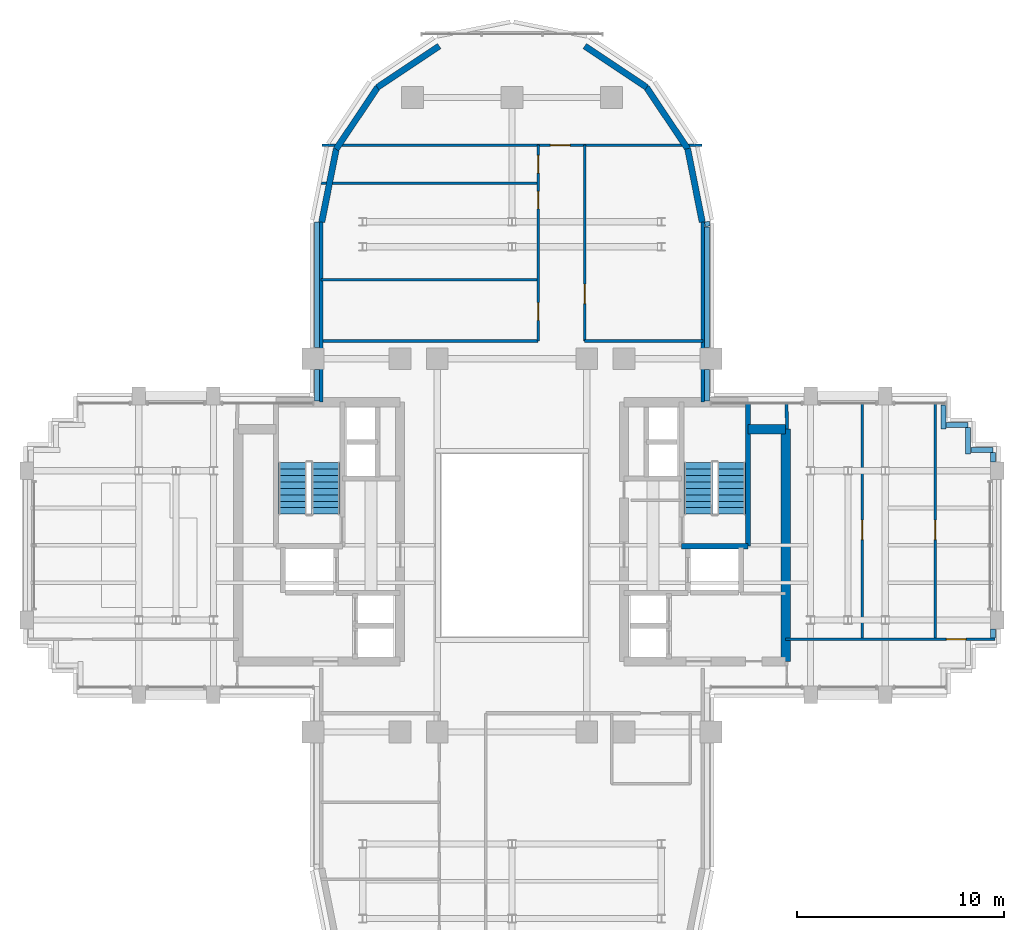
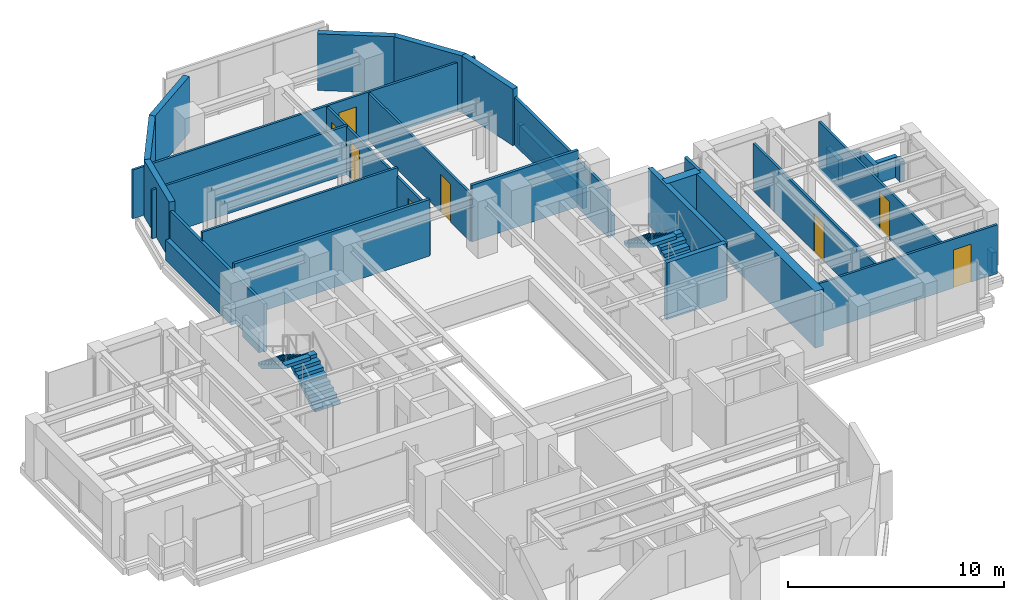
# One storey, part 10 of 13: 34 walls, 8 doors, 4 stair flights, 8 openings, 2 elements without a shape of their own.
"""IFC4 building model written with IfcOpenShell, lengths in metres."""

from ifc_helpers import new_model, si_unit, direction, frame, frame_2d, origin, place, context, subcontext, project, spatial, polyline, rectangle, outline, extrude, source, transform, mapped, material, layer, layer_set, type_object, element, fill, aggregate, save


model = new_model("IFC4")

# Units and contexts
model_context = context("Model", 3, precision=1e-05, world=origin(), true_north=direction((0.0, 1.0)))
body_context = subcontext(model_context, "Body", "Model", "MODEL_VIEW")
ifc_project = project(units=[si_unit("LENGTHUNIT", "METRE"), si_unit("AREAUNIT", "SQUARE_METRE"), si_unit("VOLUMEUNIT", "CUBIC_METRE"), si_unit("PLANEANGLEUNIT", "RADIAN"), si_unit("MASSUNIT", "GRAM", prefix="KILO")], contexts=[model_context])

# Site, building, storey
site_placement = place(None, origin())
site = spatial("IfcSite", under=ifc_project, at=site_placement, CompositionType="ELEMENT")
building_placement = place(site_placement, origin())
building = spatial("IfcBuilding", under=site, at=building_placement, Name="Keilestroom Media Tower", CompositionType="ELEMENT")
storey_placement = place(building_placement, frame((0.0, 0.0, 131.199951171875)))
storey = spatial("IfcBuildingStorey", under=building, at=storey_placement, Name="L35", CompositionType="ELEMENT", Elevation=131.199951171875)

# Walls
ifc_material_1 = material(Name="Precast concrete C40/50", Category="concrete")
ifc_layer_1 = layer(ifc_material_1, 0.300048828125)
ifc_layer_set_1 = layer_set([ifc_layer_1], Name="Precast concrete C40/50")
wall_type_1 = type_object("IfcWallType", Name="Exterior-Masonry-Spandrel-Wall-300", PredefinedType="SOLIDWALL", material=ifc_layer_set_1)
for number, where, z_axis, x_axis, name in (
    (1, (9.1748046875, 15.585205078125, 0.0), (0.0, 0.0, 1.0), (-0.195114232679, 0.980780523974, 0.0), "L35 Lobe Facet Precast Frame Wall 01"),
    (2, (8.48193359375, 19.097412109375, 0.0), (0.0, 0.0, 1.0), (-0.555574187116, 0.831466970246, 0.0), "L35 Lobe Facet Precast Frame Wall 02"),
):
    element("IfcWall", number, at=place(storey_placement, frame(where, z_axis=z_axis, x_axis=x_axis)), inside=storey, type_object=wall_type_1, Name=name, PredefinedType="SOLIDWALL", context=body_context, shape_type="SweptSolid", body=[
        extrude(rectangle(XDim=3.608642578125, YDim=0.300048828125, at=frame_2d((1.80419921875, 0.0))), origin(), (0.0, 0.0, 1.0), 3.199951171875),
    ])
for number, where, z_axis, x_axis, name in (
    (3, (6.497802734375, 22.0771484375, 0.0), (0.0, 0.0, 1.0), (-0.8314749531, 0.555562239868, 0.0), "L35 Lobe Facet Precast Frame Wall 03"),
    (4, (-3.510009765625, 24.073486328125, 0.0), (0.0, 0.0, 1.0), (-0.8314749531, -0.555562239868, 0.0), "L35 Lobe Facet Precast Frame Wall 04"),
):
    element("IfcWall", number, at=place(storey_placement, frame(where, z_axis=z_axis, x_axis=x_axis)), inside=storey, type_object=wall_type_1, Name=name, PredefinedType="SOLIDWALL", context=body_context, shape_type="SweptSolid", body=[
        extrude(rectangle(XDim=3.59326171875, YDim=0.300048828125, at=frame_2d((1.796630859375, 0.0))), origin(), (0.0, 0.0, 1.0), 3.199951171875),
    ])
for number, where, z_axis, x_axis, name in (
    (5, (-6.47705078125, 22.097900390625, 0.0), (0.0, 0.0, 1.0), (-0.555574187116, -0.831466970246, 0.0), "L35 Lobe Facet Precast Frame Wall 05"),
    (6, (-8.470703125, 19.12451171875, 0.0), (0.0, 0.0, 1.0), (-0.195114232679, -0.980780523974, 0.0), "L35 Lobe Facet Precast Frame Wall 06"),
):
    element("IfcWall", number, at=place(storey_placement, frame(where, z_axis=z_axis, x_axis=x_axis)), inside=storey, type_object=wall_type_1, Name=name, PredefinedType="SOLIDWALL", context=body_context, shape_type="SweptSolid", body=[
        extrude(rectangle(XDim=3.608642578125, YDim=0.300048828125, at=frame_2d((1.80419921875, 0.0))), origin(), (0.0, 0.0, 1.0), 3.199951171875),
    ])

# Wall, openings, doors
ifc_material_2 = material(Name="Gypsum Plasterboard & Steel Stud", Category="steel")
ifc_layer_2 = layer(ifc_material_2, 0.1201171875)
ifc_layer_set_2 = layer_set([ifc_layer_2], Name="Gypsum Plasterboard & Steel Stud")
wall_type_2 = type_object("IfcWallType", Name="Interior-Partition-Wall-120", PredefinedType="PARTITIONING", material=ifc_layer_set_2)
wall_1_placement = place(storey_placement, frame((1.260009765625, 9.85009765625, 0.0), z_axis=(0.0, 0.0, 1.0), x_axis=(0.0, 1.0, 0.0)))
wall_1 = element("IfcWall", 7, at=wall_1_placement, inside=storey, type_object=wall_type_2, Name="L35 Interior Wall WP-L35-NL-SPW", PredefinedType="PARTITIONING", context=body_context, shape_type="SweptSolid", body=[
    extrude(rectangle(XDim=9.449951171875, YDim=0.1201171875, at=frame_2d((4.72509765625, 0.0))), origin(), (0.0, 0.0, 1.0), 2.699951171875),
])
opening_1_placement = place(wall_1_placement, frame((1.0, 0.0, 0.0)))
opening_1 = element("IfcOpeningElement", 8, at=opening_1_placement, cuts=wall_1, Name="Opening DI-05", PredefinedType="OPENING", context=body_context, shape_type="SweptSolid", body=[
    extrude(rectangle(XDim=0.85009765625, YDim=2.10009765625, at=frame_2d((0.425048828125, 1.050048828125))), frame((0.0, 0.070068359375, 0.0), z_axis=(0.0, -1.0, 0.0), x_axis=(1.0, 0.0, 0.0)), (0.0, 0.0, 1.0), 0.14013671875),
])
opening_2_placement = place(wall_1_placement, frame((6.3701171875, 0.0, 0.0)))
opening_2 = element("IfcOpeningElement", 9, at=opening_2_placement, cuts=wall_1, Name="Opening DI-05", PredefinedType="OPENING", context=body_context, shape_type="SweptSolid", body=[
    extrude(rectangle(XDim=0.85009765625, YDim=2.10009765625, at=frame_2d((0.425048828125, 1.050048828125))), frame((0.0, 0.070068359375, 0.0), z_axis=(0.0, -1.0, 0.0), x_axis=(1.0, 0.0, 0.0)), (0.0, 0.0, 1.0), 0.14013671875),
])
opening_3_placement = place(wall_1_placement, frame((8.10009765625, 0.0, 0.0)))
opening_3 = element("IfcOpeningElement", 10, at=opening_3_placement, cuts=wall_1, Name="Opening DI-05", PredefinedType="OPENING", context=body_context, shape_type="SweptSolid", body=[
    extrude(rectangle(XDim=0.85009765625, YDim=2.10009765625, at=frame_2d((0.425048828125, 1.050048828125))), frame((0.0, 0.070068359375, 0.0), z_axis=(0.0, -1.0, 0.0), x_axis=(1.0, 0.0, 0.0)), (0.0, 0.0, 1.0), 0.14013671875),
])
ifc_material_3 = material(Name="Moisture-Resistant Oak Leaf", Category="wood")
door_type_1 = type_object("IfcDoorType", Name="Interior-En-Suite-And-Cupboard-Door-DI-05", OperationType="NOTDEFINED", PredefinedType="DOOR", material=ifc_material_3)
shared_shape_1 = source(origin(), body_context, "Body", "SweptSolid", [
    extrude(rectangle(XDim=0.85009765625, YDim=2.10009765625, at=frame_2d((0.425048828125, 1.050048828125))), frame((0.0, 0.02490234375, 0.0), z_axis=(0.0, -1.0, 0.0), x_axis=(1.0, 0.0, 0.0)), (0.0, 0.0, 1.0), 0.050048828125),
])
door_1_placement = place(opening_1_placement, origin())
door_1 = element("IfcDoor", 11, at=door_1_placement, inside=storey, type_object=door_type_1, Name="L35 Interior Door DI-L35-DNL-W1", OperationType="SINGLE_SWING_RIGHT", OverallHeight=2.10009765625, OverallWidth=0.85009765625, PredefinedType="DOOR", context=body_context, shape_type="MappedRepresentation", body=[
    mapped(shared_shape_1, transform((0.0, 0.0, 0.0), x_axis=(1.0, 0.0, 0.0), y_axis=(0.0, 1.0, 0.0), z_axis=(0.0, 0.0, 1.0), scale=1.0)),
])
fill(opening_1, door_1)
door_2_placement = place(opening_2_placement, origin())
door_2 = element("IfcDoor", 12, at=door_2_placement, inside=storey, type_object=door_type_1, Name="L35 Interior Door DI-L35-DNL-W2", OperationType="SINGLE_SWING_LEFT", OverallHeight=2.10009765625, OverallWidth=0.85009765625, PredefinedType="DOOR", context=body_context, shape_type="MappedRepresentation", body=[
    mapped(shared_shape_1, transform((0.0, 0.0, 0.0), x_axis=(1.0, 0.0, 0.0), y_axis=(0.0, 1.0, 0.0), z_axis=(0.0, 0.0, 1.0), scale=1.0)),
])
fill(opening_2, door_2)
door_3_placement = place(opening_3_placement, origin())
door_3 = element("IfcDoor", 13, at=door_3_placement, inside=storey, type_object=door_type_1, Name="L35 Interior Door DI-L35-DNL-W3", OperationType="SINGLE_SWING_RIGHT", OverallHeight=2.10009765625, OverallWidth=0.85009765625, PredefinedType="DOOR", context=body_context, shape_type="MappedRepresentation", body=[
    mapped(shared_shape_1, transform((0.0, 0.0, 0.0), x_axis=(1.0, 0.0, 0.0), y_axis=(0.0, 1.0, 0.0), z_axis=(0.0, 0.0, 1.0), scale=1.0)),
])
fill(opening_3, door_3)

# Wall, opening, door
wall_2_placement = place(storey_placement, frame((3.5, 9.85009765625, 0.0), z_axis=(0.0, 0.0, 1.0), x_axis=(0.0, 1.0, 0.0)))
wall_2 = element("IfcWall", 14, at=wall_2_placement, inside=storey, type_object=wall_type_2, Name="L35 Interior Wall WP-L35-NL-SPE", PredefinedType="PARTITIONING", context=body_context, shape_type="SweptSolid", body=[
    extrude(rectangle(XDim=9.449951171875, YDim=0.1201171875, at=frame_2d((4.72509765625, 0.0))), origin(), (0.0, 0.0, 1.0), 2.699951171875),
])
opening_4_placement = place(wall_2_placement, frame((1.800048828125, 0.0, 0.0)))
opening_4 = element("IfcOpeningElement", 15, at=opening_4_placement, cuts=wall_2, Name="Opening DI-03", PredefinedType="OPENING", context=body_context, shape_type="SweptSolid", body=[
    extrude(rectangle(XDim=0.949951171875, YDim=2.14990234375, at=frame_2d((0.47509765625, 1.074951171875))), frame((0.0, 0.070068359375, 0.0), z_axis=(0.0, -1.0, 0.0), x_axis=(1.0, 0.0, 0.0)), (0.0, 0.0, 1.0), 0.14013671875),
])
ifc_material_4 = material(Name="Lacquered European Oak Leaf", Category="wood")
door_type_2 = type_object("IfcDoorType", Name="Interior-Room-And-Suite-Door-DI-03", OperationType="NOTDEFINED", PredefinedType="DOOR", material=ifc_material_4)
shared_shape_2 = source(origin(), body_context, "Body", "SweptSolid", [
    extrude(rectangle(XDim=0.949951171875, YDim=2.14990234375, at=frame_2d((0.47509765625, 1.074951171875))), frame((0.0, 0.02490234375, 0.0), z_axis=(0.0, -1.0, 0.0), x_axis=(1.0, 0.0, 0.0)), (0.0, 0.0, 1.0), 0.050048828125),
])
door_4_placement = place(opening_4_placement, origin())
door_4 = element("IfcDoor", 16, at=door_4_placement, inside=storey, type_object=door_type_2, Name="L35 Interior Door DI-L35-DNL-E1", OperationType="SINGLE_SWING_LEFT", OverallHeight=2.14990234375, OverallWidth=0.949951171875, PredefinedType="DOOR", context=body_context, shape_type="MappedRepresentation", body=[
    mapped(shared_shape_2, transform((0.0, 0.0, 0.0), x_axis=(1.0, 0.0, 0.0), y_axis=(0.0, 1.0, 0.0), z_axis=(0.0, 0.0, 1.0), scale=1.0)),
])
fill(opening_4, door_4)

wall_3_placement = place(storey_placement, frame((-9.159912109375, 19.300048828125, 0.0), z_axis=(0.0, 0.0, 1.0), x_axis=(1.0, 0.0, 0.0)))
wall_3 = element("IfcWall", 17, at=wall_3_placement, inside=storey, type_object=wall_type_2, Name="L35 Interior Wall WP-L35-NL-NTIPW", PredefinedType="PARTITIONING", context=body_context, shape_type="SweptSolid", body=[
    extrude(rectangle(XDim=18.31982421875, YDim=0.1201171875, at=frame_2d((9.159912109375, 0.0))), origin(), (0.0, 0.0, 1.0), 2.760009765625),
])
opening_5_placement = place(wall_3_placement, frame((11.010009765625, 0.0, 0.0)))
opening_5 = element("IfcOpeningElement", 18, at=opening_5_placement, cuts=wall_3, Name="Opening DI-03", PredefinedType="OPENING", context=body_context, shape_type="SweptSolid", body=[
    extrude(rectangle(XDim=0.949951171875, YDim=2.14990234375, at=frame_2d((0.47509765625, 1.074951171875))), frame((0.0, 0.070068359375, 0.0), z_axis=(0.0, -1.0, 0.0), x_axis=(1.0, 0.0, 0.0)), (0.0, 0.0, 1.0), 0.14013671875),
])
door_5_placement = place(opening_5_placement, origin())
door_5 = element("IfcDoor", 19, at=door_5_placement, inside=storey, type_object=door_type_2, Name="L35 Interior Door DI-L35-DNL-TIP", OperationType="SINGLE_SWING_LEFT", OverallHeight=2.14990234375, OverallWidth=0.949951171875, PredefinedType="DOOR", context=body_context, shape_type="MappedRepresentation", body=[
    mapped(shared_shape_2, transform((0.0, 0.0, 0.0), x_axis=(1.0, 0.0, 0.0), y_axis=(0.0, 1.0, 0.0), z_axis=(0.0, 0.0, 1.0), scale=1.0)),
])
fill(opening_5, door_5)

# Walls
wall_4_placement = place(storey_placement, frame((-9.199951171875, 12.800048828125, 0.0), z_axis=(0.0, 0.0, 1.0), x_axis=(1.0, 0.0, 0.0)))
element("IfcWall", 20, at=wall_4_placement, inside=storey, type_object=wall_type_2, Name="L35 Interior Wall WP-L35-NL-HW1", PredefinedType="PARTITIONING", context=body_context, shape_type="SweptSolid", body=[
    extrude(rectangle(XDim=10.4599609375, YDim=0.1201171875, at=frame_2d((5.22998046875, 0.0))), origin(), (0.0, 0.0, 1.0), 3.199951171875),
])
wall_5_placement = place(storey_placement, frame((-9.199951171875, 17.449951171875, 0.0), z_axis=(0.0, 0.0, 1.0), x_axis=(1.0, 0.0, 0.0)))
element("IfcWall", 21, at=wall_5_placement, inside=storey, type_object=wall_type_2, Name="L35 Interior Wall WP-L35-NL-HW2", PredefinedType="PARTITIONING", context=body_context, shape_type="SweptSolid", body=[
    extrude(rectangle(XDim=10.4599609375, YDim=0.1201171875, at=frame_2d((5.22998046875, 0.0))), origin(), (0.0, 0.0, 1.0), 2.760009765625),
])

# Wall, opening, door
wall_6_placement = place(storey_placement, frame((13.199951171875, -4.530029296875, 0.0), z_axis=(0.0, 0.0, 1.0), x_axis=(1.0, 0.0, 0.0)))
wall_6 = element("IfcWall", 22, at=wall_6_placement, inside=storey, type_object=wall_type_2, Name="L35 Interior Wall WP-L35-EA-CN", PredefinedType="PARTITIONING", context=body_context, shape_type="SweptSolid", body=[
    extrude(rectangle(XDim=10.10009765625, YDim=0.1201171875, at=frame_2d((5.050048828125, 0.0))), origin(), (0.0, 0.0, 1.0), 2.760009765625),
])
opening_6_placement = place(wall_6_placement, frame((7.75, 0.0, 0.0)))
opening_6 = element("IfcOpeningElement", 23, at=opening_6_placement, cuts=wall_6, Name="Opening DI-03", PredefinedType="OPENING", context=body_context, shape_type="SweptSolid", body=[
    extrude(rectangle(XDim=0.949951171875, YDim=2.14990234375, at=frame_2d((0.47509765625, 1.074951171875))), frame((0.0, 0.070068359375, 0.0), z_axis=(0.0, -1.0, 0.0), x_axis=(1.0, 0.0, 0.0)), (0.0, 0.0, 1.0), 0.14013671875),
])
door_6_placement = place(opening_6_placement, origin())
door_6 = element("IfcDoor", 24, at=door_6_placement, inside=storey, type_object=door_type_2, Name="L35 Interior Door DI-L35-DEA-RN3", OperationType="SINGLE_SWING_LEFT", OverallHeight=2.14990234375, OverallWidth=0.949951171875, PredefinedType="DOOR", context=body_context, shape_type="MappedRepresentation", body=[
    mapped(shared_shape_2, transform((0.0, 0.0, 0.0), x_axis=(1.0, 0.0, 0.0), y_axis=(0.0, 1.0, 0.0), z_axis=(0.0, 0.0, 1.0), scale=1.0)),
])
fill(opening_6, door_6)

wall_7_placement = place(storey_placement, frame((16.89990234375, -4.530029296875, 0.0), z_axis=(0.0, 0.0, 1.0), x_axis=(0.0, 1.0, 0.0)))
wall_7 = element("IfcWall", 25, at=wall_7_placement, inside=storey, type_object=wall_type_2, Name="L35 Interior Wall WP-L35-EA-VM1", PredefinedType="PARTITIONING", context=body_context, shape_type="SweptSolid", body=[
    extrude(rectangle(XDim=11.380126953125, YDim=0.1201171875, at=frame_2d((5.68994140625, 0.0))), origin(), (0.0, 0.0, 1.0), 2.699951171875),
])
opening_7_placement = place(wall_7_placement, frame((4.800048828125, 0.0, 0.0)))
opening_7 = element("IfcOpeningElement", 26, at=opening_7_placement, cuts=wall_7, Name="Opening DI-03", PredefinedType="OPENING", context=body_context, shape_type="SweptSolid", body=[
    extrude(rectangle(XDim=0.949951171875, YDim=2.14990234375, at=frame_2d((0.47509765625, 1.074951171875))), frame((0.0, 0.070068359375, 0.0), z_axis=(0.0, -1.0, 0.0), x_axis=(1.0, 0.0, 0.0)), (0.0, 0.0, 1.0), 0.14013671875),
])
door_7_placement = place(opening_7_placement, origin())
door_7 = element("IfcDoor", 27, at=door_7_placement, inside=storey, type_object=door_type_2, Name="L35 Interior Door DI-L35-DEA-RN1", OperationType="SINGLE_SWING_LEFT", OverallHeight=2.14990234375, OverallWidth=0.949951171875, PredefinedType="DOOR", context=body_context, shape_type="MappedRepresentation", body=[
    mapped(shared_shape_2, transform((0.0, 0.0, 0.0), x_axis=(1.0, 0.0, 0.0), y_axis=(0.0, 1.0, 0.0), z_axis=(0.0, 0.0, 1.0), scale=1.0)),
])
fill(opening_7, door_7)

wall_8_placement = place(storey_placement, frame((20.39990234375, -4.530029296875, 0.0), z_axis=(0.0, 0.0, 1.0), x_axis=(0.0, 1.0, 0.0)))
wall_8 = element("IfcWall", 28, at=wall_8_placement, inside=storey, type_object=wall_type_2, Name="L35 Interior Wall WP-L35-EA-VM2", PredefinedType="PARTITIONING", context=body_context, shape_type="SweptSolid", body=[
    extrude(rectangle(XDim=11.380126953125, YDim=0.1201171875, at=frame_2d((5.68994140625, 0.0))), origin(), (0.0, 0.0, 1.0), 2.699951171875),
])
opening_8_placement = place(wall_8_placement, frame((4.800048828125, 0.0, 0.0)))
opening_8 = element("IfcOpeningElement", 29, at=opening_8_placement, cuts=wall_8, Name="Opening DI-03", PredefinedType="OPENING", context=body_context, shape_type="SweptSolid", body=[
    extrude(rectangle(XDim=0.949951171875, YDim=2.14990234375, at=frame_2d((0.47509765625, 1.074951171875))), frame((0.0, 0.070068359375, 0.0), z_axis=(0.0, -1.0, 0.0), x_axis=(1.0, 0.0, 0.0)), (0.0, 0.0, 1.0), 0.14013671875),
])
door_8_placement = place(opening_8_placement, origin())
door_8 = element("IfcDoor", 30, at=door_8_placement, inside=storey, type_object=door_type_2, Name="L35 Interior Door DI-L35-DEA-RN2", OperationType="SINGLE_SWING_RIGHT", OverallHeight=2.14990234375, OverallWidth=0.949951171875, PredefinedType="DOOR", context=body_context, shape_type="MappedRepresentation", body=[
    mapped(shared_shape_2, transform((0.0, 0.0, 0.0), x_axis=(1.0, 0.0, 0.0), y_axis=(0.0, 1.0, 0.0), z_axis=(0.0, 0.0, 1.0), scale=1.0)),
])
fill(opening_8, door_8)

# Walls
ifc_layer_3 = layer(ifc_material_2, 0.14990234375)
ifc_layer_set_3 = layer_set([ifc_layer_3], Name="Gypsum Plasterboard & Steel Stud")
wall_type_3 = type_object("IfcWallType", Name="Interior-Partition-Wall-150", PredefinedType="PARTITIONING", material=ifc_layer_set_3)
for number, where, z_axis, x_axis, name in (
    (31, (-9.199951171875, 6.89990234375, 0.0), (0.0, 0.0, 1.0), (0.0, 1.0, 0.0), "L35 Interior Wall WP-L35-NL-CHKW"),
    (32, (9.199951171875, 6.89990234375, 0.0), (0.0, 0.0, 1.0), (0.0, 1.0, 0.0), "L35 Interior Wall WP-L35-NL-CHKE"),
):
    element("IfcWall", number, at=place(storey_placement, frame(where, z_axis=z_axis, x_axis=x_axis)), inside=storey, type_object=wall_type_3, Name=name, PredefinedType="PARTITIONING", context=body_context, shape_type="SweptSolid", body=[
        extrude(rectangle(XDim=8.780029296875, YDim=0.14990234375, at=frame_2d((4.39013671875, 0.0))), origin(), (0.0, 0.0, 1.0), 2.699951171875),
    ])
wall_9_placement = place(storey_placement, frame((-9.199951171875, 9.85009765625, 0.0), z_axis=(0.0, 0.0, 1.0), x_axis=(1.0, 0.0, 0.0)))
element("IfcWall", 33, at=wall_9_placement, inside=storey, type_object=wall_type_3, Name="L35 Interior Wall WP-L35-NL-BASE-W", PredefinedType="PARTITIONING", context=body_context, shape_type="SweptSolid", body=[
    extrude(rectangle(XDim=10.4599609375, YDim=0.14990234375, at=frame_2d((5.22998046875, 0.0))), origin(), (0.0, 0.0, 1.0), 3.199951171875),
])
wall_10_placement = place(storey_placement, frame((3.5, 9.85009765625, 0.0), z_axis=(0.0, 0.0, 1.0), x_axis=(1.0, 0.0, 0.0)))
element("IfcWall", 34, at=wall_10_placement, inside=storey, type_object=wall_type_3, Name="L35 Interior Wall WP-L35-NL-BASE-E", PredefinedType="PARTITIONING", context=body_context, shape_type="SweptSolid", body=[
    extrude(rectangle(XDim=5.699951171875, YDim=0.14990234375, at=frame_2d((2.85009765625, 0.0))), origin(), (0.0, 0.0, 1.0), 3.199951171875),
])
wall_11_placement = place(storey_placement, frame((13.260009765625, 5.60009765625, 0.0), z_axis=(0.0, 0.0, 1.0), x_axis=(-0.016013571389, 0.999871774545, 0.0)))
element("IfcWall", 35, at=wall_11_placement, inside=storey, type_object=wall_type_3, Name="L35 Interior Wall WP-L35-EA-ENTN", PredefinedType="PARTITIONING", context=body_context, shape_type="SweptSolid", body=[
    extrude(rectangle(XDim=1.250244140625, YDim=0.14990234375, at=frame_2d((0.625, 0.0))), origin(), (0.0, 0.0, 1.0), 3.199951171875),
])
ifc_material_5 = material(Name="Concrete C55/67", Category="concrete")
ifc_layer_4 = layer(ifc_material_5, 0.449951171875)
ifc_layer_set_4 = layer_set([ifc_layer_4], Name="Concrete C55/67")
wall_type_4 = type_object("IfcWallType", Name="Reinforced-Concrete-Core-Shear-Wall-450", PredefinedType="SHEAR", material=ifc_layer_set_4)
wall_12_placement = place(storey_placement, frame((13.199951171875, -5.60009765625, 0.0), z_axis=(0.0, 0.0, 1.0), x_axis=(0.0, 1.0, 0.0)))
element("IfcWall", 36, at=wall_12_placement, inside=storey, type_object=wall_type_4, Name="L35 Core Shear Wall WL-L35-CORE-E-OUT", PredefinedType="SHEAR", context=body_context, shape_type="SweptSolid", body=[
    extrude(rectangle(XDim=11.2001953125, YDim=0.449951171875, at=frame_2d((5.60009765625, 0.0))), origin(), (0.0, 0.0, 1.0), 3.199951171875),
])
wall_13_placement = place(storey_placement, frame((11.381103515625, 5.60009765625, 0.0), z_axis=(0.0, 0.0, 1.0), x_axis=(1.0, 0.0, 0.0)))
element("IfcWall", 37, at=wall_13_placement, inside=storey, type_object=wall_type_4, Name="L35 Core Shear Wall WL-L35-CNE-N", PredefinedType="SHEAR", context=body_context, shape_type="SweptSolid", body=[
    extrude(rectangle(XDim=1.81884765625, YDim=0.449951171875, at=frame_2d((0.909423828125, 0.0))), origin(), (0.0, 0.0, 1.0), 3.199951171875),
])
ifc_material_6 = material(Name="Concrete C50/60", Category="concrete")
ifc_layer_5 = layer(ifc_material_6, 0.25)
ifc_layer_set_5 = layer_set([ifc_layer_5], Name="Concrete C50/60")
wall_type_5 = type_object("IfcWallType", Name="Reinforced-Concrete-Shaft-Wall-250", PredefinedType="SOLIDWALL", material=ifc_layer_set_5)
wall_14_placement = place(storey_placement, frame((11.381103515625, -0.041015625, 0.0), z_axis=(0.0, 0.0, 1.0), x_axis=(0.0, 1.0, 0.0)))
element("IfcWall", 38, at=wall_14_placement, inside=storey, type_object=wall_type_5, Name="L35 Core Shear Wall WL-L35-STW-E-FAR", PredefinedType="SOLIDWALL", context=body_context, shape_type="SweptSolid", body=[
    extrude(rectangle(XDim=6.94091796875, YDim=0.25, at=frame_2d((3.470458984375, 0.0))), origin(), (0.0, 0.0, 1.0), 3.199951171875),
])
wall_15_placement = place(storey_placement, frame((8.178955078125, -0.041015625, 0.0), z_axis=(0.0, 0.0, 1.0), x_axis=(1.0, 0.0, 0.0)))
element("IfcWall", 39, at=wall_15_placement, inside=storey, type_object=wall_type_5, Name="L35 Core Shear Wall WL-L35-STW-E-S", PredefinedType="SOLIDWALL", context=body_context, shape_type="SweptSolid", body=[
    extrude(rectangle(XDim=3.2021484375, YDim=0.25, at=frame_2d((1.60107421875, 0.0))), origin(), (0.0, 0.0, 1.0), 3.199951171875),
])
ifc_layer_6 = layer(ifc_material_1, 0.239990234375)
ifc_layer_set_6 = layer_set([ifc_layer_6], Name="Precast concrete C40/50")
wall_type_6 = type_object("IfcWallType", Name="Roof-And-Terrace-Parapet-Wall-240", PredefinedType="PARAPET", material=ifc_layer_set_6)
wall_16_placement = place(storey_placement, frame((-9.39990234375, 6.952880859375, 0.0), z_axis=(0.0, 0.0, 1.0), x_axis=(0.0, 1.0, 0.0)))
element("IfcWall", 40, at=wall_16_placement, inside=storey, type_object=wall_type_6, Name="L35 Perimeter Edge Parapet Wall 19", PredefinedType="PARAPET", context=body_context, shape_type="SweptSolid", body=[
    extrude(rectangle(XDim=1.51904296875, YDim=0.239990234375, at=frame_2d((0.759521484375, 0.0))), origin(), (0.0, 0.0, 1.0), 1.150146484375),
])
wall_17_placement = place(storey_placement, frame((-9.39990234375, 9.528076171875, 0.0), z_axis=(0.0, 0.0, 1.0), x_axis=(0.0, 1.0, 0.0)))
element("IfcWall", 41, at=wall_17_placement, inside=storey, type_object=wall_type_6, Name="L35 Perimeter Edge Parapet Wall 20", PredefinedType="PARAPET", context=body_context, shape_type="SweptSolid", body=[
    extrude(rectangle(XDim=6.07470703125, YDim=0.239990234375, at=frame_2d((3.037353515625, 0.0))), origin(), (0.0, 0.0, 1.0), 1.150146484375),
])
wall_18_placement = place(storey_placement, frame((9.395263671875, 15.604248046875, 0.0), z_axis=(0.0, 0.0, 1.0), x_axis=(0.194652052864, -0.980872355771, 0.0)))
element("IfcWall", 42, at=wall_18_placement, inside=storey, type_object=wall_type_6, Name="L35 Perimeter Edge Parapet Wall 21", PredefinedType="PARAPET", context=body_context, shape_type="SweptSolid", body=[
    extrude(rectangle(XDim=0.224609375, YDim=0.239990234375, at=frame_2d((0.1123046875, 0.0))), origin(), (0.0, 0.0, 1.0), 1.150146484375),
])
wall_19_placement = place(storey_placement, frame((9.39990234375, 15.357666015625, 0.0), z_axis=(0.0, 0.0, 1.0), x_axis=(0.0, -1.0, 0.0)))
element("IfcWall", 43, at=wall_19_placement, inside=storey, type_object=wall_type_6, Name="L35 Perimeter Edge Parapet Wall 22", PredefinedType="PARAPET", context=body_context, shape_type="SweptSolid", body=[
    extrude(rectangle(XDim=5.82958984375, YDim=0.239990234375, at=frame_2d((2.914794921875, 0.0))), origin(), (0.0, 0.0, 1.0), 1.150146484375),
])
wall_20_placement = place(storey_placement, frame((9.39990234375, 8.471923828125, 0.0), z_axis=(0.0, 0.0, 1.0), x_axis=(0.0, -1.0, 0.0)))
element("IfcWall", 44, at=wall_20_placement, inside=storey, type_object=wall_type_6, Name="L35 Perimeter Edge Parapet Wall 23", PredefinedType="PARAPET", context=body_context, shape_type="SweptSolid", body=[
    extrude(rectangle(XDim=1.51904296875, YDim=0.239990234375, at=frame_2d((0.759521484375, 0.0))), origin(), (0.0, 0.0, 1.0), 1.150146484375),
])
wall_21_placement = place(storey_placement, frame((20.800048828125, 6.757080078125, 0.0), z_axis=(0.0, 0.0, 1.0), x_axis=(0.0, -1.0, 0.0)))
element("IfcWall", 45, at=wall_21_placement, inside=storey, type_object=wall_type_6, Name="L35 Perimeter Edge Parapet Wall 24", PredefinedType="PARAPET", context=body_context, shape_type="SweptSolid", body=[
    extrude(rectangle(XDim=1.156982421875, YDim=0.239990234375, at=frame_2d((0.57861328125, 0.0))), origin(), (0.0, 0.0, 1.0), 1.150146484375),
])
wall_22_placement = place(storey_placement, frame((20.923095703125, 5.800048828125, 0.0), z_axis=(0.0, 0.0, 1.0), x_axis=(1.0, 0.0, 0.0)))
element("IfcWall", 46, at=wall_22_placement, inside=storey, type_object=wall_type_6, Name="L35 Perimeter Edge Parapet Wall 25", PredefinedType="PARAPET", context=body_context, shape_type="SweptSolid", body=[
    extrude(rectangle(XDim=1.076904296875, YDim=0.239990234375, at=frame_2d((0.53857421875, 0.0))), origin(), (0.0, 0.0, 1.0), 1.150146484375),
])
wall_23_placement = place(storey_placement, frame((22.0, 5.677001953125, 0.0), z_axis=(0.0, 0.0, 1.0), x_axis=(0.0, -1.0, 0.0)))
element("IfcWall", 47, at=wall_23_placement, inside=storey, type_object=wall_type_6, Name="L35 Perimeter Edge Parapet Wall 26", PredefinedType="PARAPET", context=body_context, shape_type="SweptSolid", body=[
    extrude(rectangle(XDim=1.277099609375, YDim=0.239990234375, at=frame_2d((0.638671875, 0.0))), origin(), (0.0, 0.0, 1.0), 1.150146484375),
])
wall_24_placement = place(storey_placement, frame((22.123046875, 4.60009765625, 0.0), z_axis=(0.0, 0.0, 1.0), x_axis=(1.0, 0.0, 0.0)))
element("IfcWall", 48, at=wall_24_placement, inside=storey, type_object=wall_type_6, Name="L35 Perimeter Edge Parapet Wall 27", PredefinedType="PARAPET", context=body_context, shape_type="SweptSolid", body=[
    extrude(rectangle(XDim=1.076904296875, YDim=0.239990234375, at=frame_2d((0.53857421875, 0.0))), origin(), (0.0, 0.0, 1.0), 1.150146484375),
])
wall_25_placement = place(storey_placement, frame((23.199951171875, 4.47705078125, 0.0), z_axis=(0.0, 0.0, 1.0), x_axis=(0.0, -1.0, 0.0)))
element("IfcWall", 49, at=wall_25_placement, inside=storey, type_object=wall_type_6, Name="L35 Perimeter Edge Parapet Wall 28", PredefinedType="PARAPET", context=body_context, shape_type="SweptSolid", body=[
    extrude(rectangle(XDim=0.448974609375, YDim=0.239990234375, at=frame_2d((0.224609375, 0.0))), origin(), (0.0, 0.0, 1.0), 1.150146484375),
])
wall_26_placement = place(storey_placement, frame((23.199951171875, -4.028076171875, 0.0), z_axis=(0.0, 0.0, 1.0), x_axis=(0.0, -1.0, 0.0)))
element("IfcWall", 50, at=wall_26_placement, inside=storey, type_object=wall_type_6, Name="L35 Perimeter Edge Parapet Wall 29", PredefinedType="PARAPET", context=body_context, shape_type="SweptSolid", body=[
    extrude(rectangle(XDim=0.43896484375, YDim=0.239990234375, at=frame_2d((0.219482421875, 0.0))), origin(), (0.0, 0.0, 1.0), 1.150146484375),
])

# Stair, stair flights
ifc_material_7 = material(Name="Concrete C45/55", Category="concrete")
stair_type = type_object("IfcStairType", Name="Enclosed-Dog-Leg-Stair-ST-CORE", PredefinedType="HALF_TURN_STAIR", material=ifc_material_7)
stair_1_placement = place(storey_placement, origin())
stair_1 = element("IfcStair", 51, at=stair_1_placement, inside=storey, type_object=stair_type, Name="L35 West Core Escape Stair ST-1", PredefinedType="HALF_TURN_STAIR")
stair_flight_type = type_object("IfcStairFlightType", Name="Precast-Concrete-Stair-Flight-Core-160", PredefinedType="STRAIGHT", material=ifc_material_1)
stair_flight_1_placement = place(storey_placement, frame((-8.97998046875, 1.5, 0.0), z_axis=(0.0, 0.0, 1.0), x_axis=(0.0, 1.0, 0.0)))
stair_flight_1 = element("IfcStairFlight", 52, at=stair_flight_1_placement, type_object=stair_flight_type, Name="ST-1 flight 1", NumberOfRisers=9, NumberOfTreads=8, PredefinedType="STRAIGHT", RiserHeight=0.188888889, TreadLength=0.312, context=body_context, shape_type="SweptSolid", body=[
    extrude(outline(polyline([(0.0, 0.0), (0.0, 0.18896484375), (0.31201171875, 0.18896484375), (0.31201171875, 0.377685546875), (0.6240234375, 0.377685546875), (0.6240234375, 0.566650390625), (0.93603515625, 0.566650390625), (0.93603515625, 0.755615234375), (1.248046875, 0.755615234375), (1.248046875, 0.9443359375), (1.56005859375, 0.9443359375), (1.56005859375, 1.13330078125), (1.8720703125, 1.13330078125), (1.8720703125, 1.322265625), (2.18408203125, 1.322265625), (2.18408203125, 1.51123046875), (2.49609375, 1.51123046875), (2.49609375, 1.699951171875), (2.49609375, 1.32421875), (0.308837890625, 0.0), (0.0, 0.0)])), frame((0.0, 0.68017578125, 0.0), z_axis=(0.0, -1.0, 0.0), x_axis=(1.0, 0.0, 0.0)), (0.0, 0.0, 1.0), 1.360107421875),
])
stair_flight_2_placement = place(storey_placement, frame((-10.580078125, 3.99609375, 1.699951171875), z_axis=(0.0, 0.0, 1.0), x_axis=(0.0, -1.0, 0.0)))
stair_flight_2 = element("IfcStairFlight", 53, at=stair_flight_2_placement, type_object=stair_flight_type, Name="ST-1 flight 2", NumberOfRisers=9, NumberOfTreads=8, PredefinedType="STRAIGHT", RiserHeight=0.188888889, TreadLength=0.312, context=body_context, shape_type="SweptSolid", body=[
    extrude(outline(polyline([(0.0, 0.0), (0.0, 0.18896484375), (0.31201171875, 0.18896484375), (0.31201171875, 0.377685546875), (0.6240234375, 0.377685546875), (0.6240234375, 0.566650390625), (0.93603515625, 0.566650390625), (0.93603515625, 0.755615234375), (1.248046875, 0.755615234375), (1.248046875, 0.9443359375), (1.56005859375, 0.9443359375), (1.56005859375, 1.13330078125), (1.8720703125, 1.13330078125), (1.8720703125, 1.322265625), (2.18408203125, 1.322265625), (2.18408203125, 1.51123046875), (2.49609375, 1.51123046875), (2.49609375, 1.699951171875), (2.49609375, 1.32421875), (0.308837890625, 0.0), (0.0, 0.0)])), frame((0.0, 0.68017578125, 0.0), z_axis=(0.0, -1.0, 0.0), x_axis=(1.0, 0.0, 0.0)), (0.0, 0.0, 1.0), 1.360107421875),
])
aggregate(stair_1, [stair_flight_1, stair_flight_2])

stair_2_placement = place(storey_placement, origin())
stair_2 = element("IfcStair", 54, at=stair_2_placement, inside=storey, type_object=stair_type, Name="L35 East Core Escape Stair ST-2", PredefinedType="HALF_TURN_STAIR")
stair_flight_3_placement = place(storey_placement, frame((10.580078125, 1.5, 0.0), z_axis=(0.0, 0.0, 1.0), x_axis=(0.0, 1.0, 0.0)))
stair_flight_3 = element("IfcStairFlight", 55, at=stair_flight_3_placement, type_object=stair_flight_type, Name="ST-2 flight 1", NumberOfRisers=9, NumberOfTreads=8, PredefinedType="STRAIGHT", RiserHeight=0.188888889, TreadLength=0.312, context=body_context, shape_type="SweptSolid", body=[
    extrude(outline(polyline([(0.0, 0.0), (0.0, 0.18896484375), (0.31201171875, 0.18896484375), (0.31201171875, 0.377685546875), (0.6240234375, 0.377685546875), (0.6240234375, 0.566650390625), (0.93603515625, 0.566650390625), (0.93603515625, 0.755615234375), (1.248046875, 0.755615234375), (1.248046875, 0.9443359375), (1.56005859375, 0.9443359375), (1.56005859375, 1.13330078125), (1.8720703125, 1.13330078125), (1.8720703125, 1.322265625), (2.18408203125, 1.322265625), (2.18408203125, 1.51123046875), (2.49609375, 1.51123046875), (2.49609375, 1.699951171875), (2.49609375, 1.32421875), (0.308837890625, 0.0), (0.0, 0.0)])), frame((0.0, 0.68017578125, 0.0), z_axis=(0.0, -1.0, 0.0), x_axis=(1.0, 0.0, 0.0)), (0.0, 0.0, 1.0), 1.360107421875),
])
stair_flight_4_placement = place(storey_placement, frame((8.97998046875, 3.99609375, 1.699951171875), z_axis=(0.0, 0.0, 1.0), x_axis=(0.0, -1.0, 0.0)))
stair_flight_4 = element("IfcStairFlight", 56, at=stair_flight_4_placement, type_object=stair_flight_type, Name="ST-2 flight 2", NumberOfRisers=9, NumberOfTreads=8, PredefinedType="STRAIGHT", RiserHeight=0.188888889, TreadLength=0.312, context=body_context, shape_type="SweptSolid", body=[
    extrude(outline(polyline([(0.0, 0.0), (0.0, 0.18896484375), (0.31201171875, 0.18896484375), (0.31201171875, 0.377685546875), (0.6240234375, 0.377685546875), (0.6240234375, 0.566650390625), (0.93603515625, 0.566650390625), (0.93603515625, 0.755615234375), (1.248046875, 0.755615234375), (1.248046875, 0.9443359375), (1.56005859375, 0.9443359375), (1.56005859375, 1.13330078125), (1.8720703125, 1.13330078125), (1.8720703125, 1.322265625), (2.18408203125, 1.322265625), (2.18408203125, 1.51123046875), (2.49609375, 1.51123046875), (2.49609375, 1.699951171875), (2.49609375, 1.32421875), (0.308837890625, 0.0), (0.0, 0.0)])), frame((0.0, 0.68017578125, 0.0), z_axis=(0.0, -1.0, 0.0), x_axis=(1.0, 0.0, 0.0)), (0.0, 0.0, 1.0), 1.360107421875),
])
aggregate(stair_2, [stair_flight_3, stair_flight_4])

save(model, "model.ifc")
